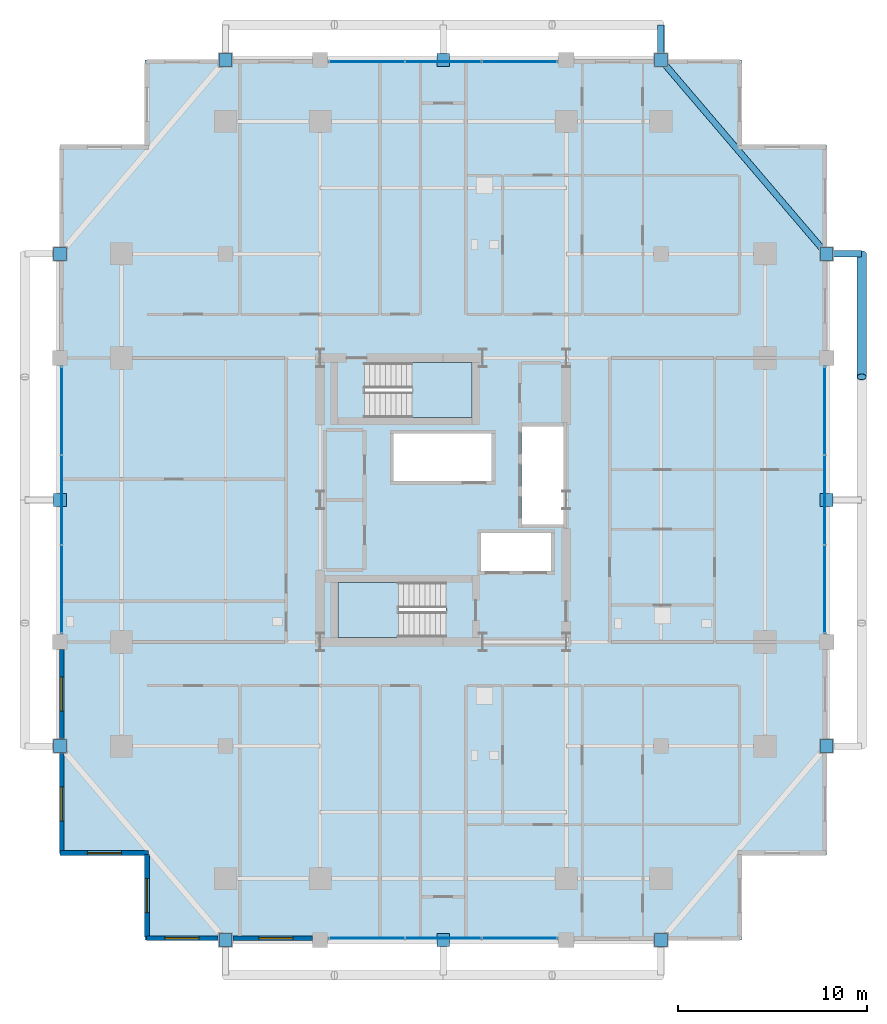
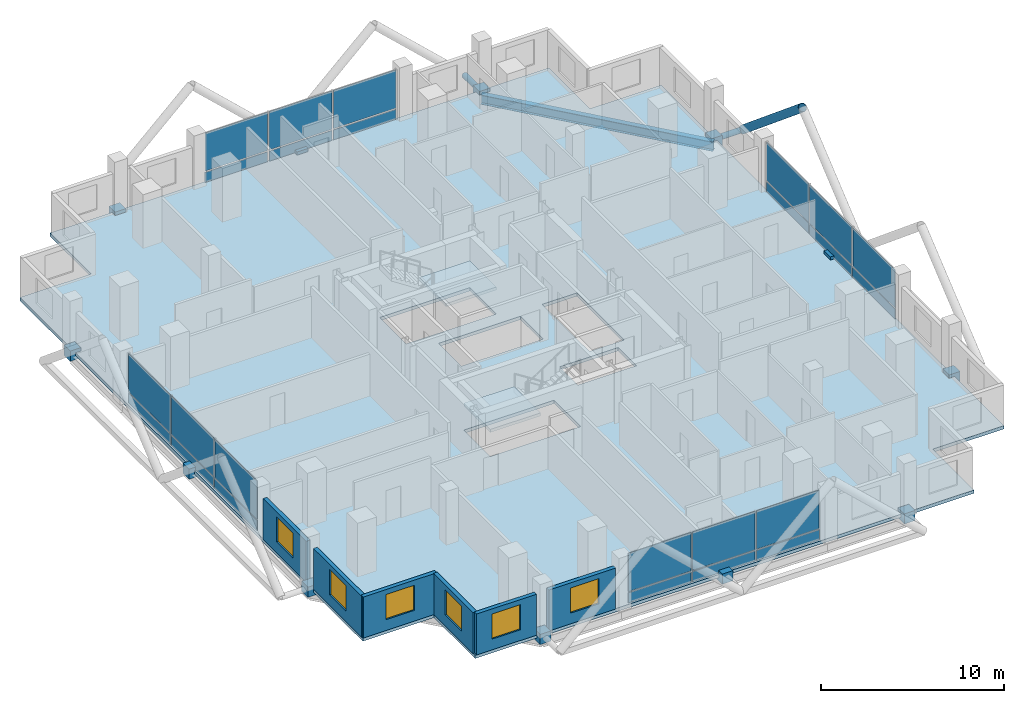
# One storey, part 18 of 24: 36 plates, 6 walls, 6 windows, 3 members, 3 slabs, 1 beam, 6 openings, 6 elements without a shape of their own.
"""IFC4 building model written with IfcOpenShell, lengths in metres."""

import ifcopenshell
import ifcopenshell.guid

model = None  # the IFC model being written
_history = None  # IfcOwnerHistory: only IFC2X3 demands one
_inside = {}  # id of a spatial element -> (the spatial element, [elements in it])
_under = {}  # id of a project, library or spatial element -> (it, [spatial elements below it])
_declared = {}  # id of a project -> (the project, [libraries it declares])
_typed = {}  # id of a type object -> (the type object, [elements of that type])
_made_of = {}  # id of a material, layer set ... -> (it, [elements and type objects made of it])


def new_model(schema):
    """Start an empty IFC model of exactly this schema.

    Asked for "IFC4X3", IfcOpenShell would pick the latest addendum, in which some entities
    have other attributes; the version numbers below select the first issue.
    IFC2X3 requires an IfcOwnerHistory on every rooted entity: one is made here for all.
    """
    global model, _history
    if schema == "IFC4X3":
        model = ifcopenshell.file(schema_version=(4, 3, 0, 0))
    else:
        model = ifcopenshell.file(schema=schema)
    _inside.clear()
    _under.clear()
    _declared.clear()
    _typed.clear()
    _made_of.clear()
    _history = None
    if model.schema == "IFC2X3":
        org = make("IfcOrganization", Name="unknown")
        user = make(
            "IfcPersonAndOrganization",
            ThePerson=make("IfcPerson", FamilyName="unknown"),
            TheOrganization=org,
        )
        app = make(
            "IfcApplication",
            ApplicationDeveloper=org,
            Version="unknown",
            ApplicationFullName="unknown",
            ApplicationIdentifier="unknown",
        )
        _history = make(
            "IfcOwnerHistory",
            OwningUser=user,
            OwningApplication=app,
            ChangeAction="ADDED",
            CreationDate=0,
        )
    return model


def make(cls, **values):
    """One entity of the class cls with the attributes given. An attribute that is None is left unset."""
    return model.create_entity(
        cls, **{name: value for name, value in values.items() if value is not None}
    )


def rooted(cls, **values):
    """An entity with a GlobalId (a new one), such as an element, a storey or a relation."""
    return make(cls, GlobalId=ifcopenshell.guid.new(), OwnerHistory=_history, **values)


def si_unit(unit_type, name, prefix=None):
    """IfcSIUnit, for example si_unit("LENGTHUNIT", "METRE", prefix="MILLI")."""
    return make("IfcSIUnit", UnitType=unit_type, Prefix=prefix, Name=name)


def assignment(units):
    """IfcUnitAssignment: the units of a project."""
    return None if units is None else make("IfcUnitAssignment", Units=units)


def point(xyz):
    """IfcCartesianPoint."""
    return None if xyz is None else make("IfcCartesianPoint", Coordinates=xyz)


def direction(xyz):
    """IfcDirection."""
    return None if xyz is None else make("IfcDirection", DirectionRatios=xyz)


def frame(location, z_axis=None, x_axis=None):
    """IfcAxis2Placement3D, a coordinate frame: its origin and axes. An axis left out is left unset."""
    return make(
        "IfcAxis2Placement3D",
        Location=point(location),
        Axis=direction(z_axis),
        RefDirection=direction(x_axis),
    )


def frame_2d(location, x_axis=None):
    """IfcAxis2Placement2D, a coordinate frame in the plane: its origin and x axis."""
    return make(
        "IfcAxis2Placement2D", Location=point(location), RefDirection=direction(x_axis)
    )


def origin():
    """The frame at (0, 0, 0) with its axes left unset."""
    return frame((0.0, 0.0, 0.0))


def origin_2d():
    """The frame at (0, 0) in the plane with its x axis left unset."""
    return frame_2d((0.0, 0.0))


def place(relative_to, where):
    """IfcLocalPlacement: puts the frame where relative to a parent placement (None: the world)."""
    return make(
        "IfcLocalPlacement", PlacementRelTo=relative_to, RelativePlacement=where
    )


def context(
    kind, dimensions, precision=None, world=None, true_north=None, identifier=None
):
    """IfcGeometricRepresentationContext, for example the 3D "Model" context."""
    return make(
        "IfcGeometricRepresentationContext",
        ContextIdentifier=identifier,
        ContextType=kind,
        CoordinateSpaceDimension=dimensions,
        Precision=precision,
        WorldCoordinateSystem=world,
        TrueNorth=true_north,
    )


def subcontext(parent, identifier, kind, view, scale=None):
    """IfcGeometricRepresentationSubContext, for example "Body" below "Model"."""
    return make(
        "IfcGeometricRepresentationSubContext",
        ContextIdentifier=identifier,
        ContextType=kind,
        ParentContext=parent,
        TargetScale=scale,
        TargetView=view,
    )


def project(units=None, contexts=None):
    """IfcProject with its units and contexts."""
    return rooted(
        "IfcProject",
        Name="project",
        RepresentationContexts=contexts,
        UnitsInContext=assignment(units),
    )


def spatial(cls, under=None, at=None, **own):
    """A site, building, storey or space (cls), placed at a placement, below another one or the project."""
    s = rooted(cls, ObjectPlacement=at, **own)
    if under is not None:
        _under.setdefault(under.id(), (under, []))[1].append(s)
    return s


def polyline(points):
    """IfcPolyline through the points."""
    return make("IfcPolyline", Points=[point(p) for p in points])


def profile(cls, at=None, kind="AREA", **sizes):
    """A parametric profile (cls). Its sizes go by their IFC names, for example OverallWidth=200.0."""
    return make(cls, ProfileType=kind, Position=at, **sizes)


def rectangle(**sizes):
    """IfcRectangleProfileDef."""
    return profile("IfcRectangleProfileDef", **sizes)


def hollow_circle(**sizes):
    """IfcCircleHollowProfileDef."""
    return profile("IfcCircleHollowProfileDef", **sizes)


def i_section(**sizes):
    """IfcIShapeProfileDef."""
    return profile("IfcIShapeProfileDef", **sizes)


def outline(outer, holes=None, kind="AREA"):
    """IfcArbitraryClosedProfileDef: a profile drawn as a closed curve; with holes, ...WithVoids."""
    if holes is None:
        return make("IfcArbitraryClosedProfileDef", ProfileType=kind, OuterCurve=outer)
    return make(
        "IfcArbitraryProfileDefWithVoids",
        ProfileType=kind,
        OuterCurve=outer,
        InnerCurves=holes,
    )


def extrude(swept, where, along, depth):
    """IfcExtrudedAreaSolid: the profile swept, set in the frame where, extruded along a direction by depth."""
    return make(
        "IfcExtrudedAreaSolid",
        SweptArea=swept,
        Position=where,
        ExtrudedDirection=direction(along),
        Depth=depth,
    )


def shape(context_of_items, identifier, shape_type, items):
    """IfcShapeRepresentation: the items that make up one representation, for example the "Body"."""
    return make(
        "IfcShapeRepresentation",
        ContextOfItems=context_of_items,
        RepresentationIdentifier=identifier,
        RepresentationType=shape_type,
        Items=items,
    )


def material(Name=None, Category=None):
    """IfcMaterial."""
    return make("IfcMaterial", Name=Name, Category=Category)


def layer(
    of_material, thickness, ventilated=None, Name=None, Category=None, Priority=None
):
    """IfcMaterialLayer: one layer of a wall or slab, of a material (None: an air gap)."""
    return make(
        "IfcMaterialLayer",
        Material=of_material,
        LayerThickness=thickness,
        IsVentilated=ventilated,
        Name=Name,
        Category=Category,
        Priority=Priority,
    )


def layer_set(layers, Name=None):
    """IfcMaterialLayerSet."""
    return make("IfcMaterialLayerSet", MaterialLayers=layers, LayerSetName=Name)


def material_profile(
    of_material, cross_section, Name=None, Category=None, Priority=None
):
    """IfcMaterialProfile: a cross section and its material."""
    return make(
        "IfcMaterialProfile",
        Name=Name,
        Material=of_material,
        Profile=cross_section,
        Priority=Priority,
        Category=Category,
    )


def profile_set(profiles, Name=None, composite=None):
    """IfcMaterialProfileSet."""
    return make(
        "IfcMaterialProfileSet",
        Name=Name,
        MaterialProfiles=profiles,
        CompositeProfile=composite,
    )


def made_of(thing, what):
    """Note that an element or type object is made of a material, layer set ...; save() writes the relation."""
    if what is not None:
        _made_of.setdefault(what.id(), (what, []))[1].append(thing)
    return thing


def type_object(cls, material=None, **own):
    """A type object (cls), such as IfcWallType, which elements share."""
    return made_of(rooted(cls, **own), material)


def element(
    cls,
    number,
    at=None,
    inside=None,
    cuts=None,
    type_object=None,
    material=None,
    context=None,
    identifier="Body",
    shape_type=None,
    held_by="IfcProductDefinitionShape",
    body=None,
    shapes=None,
    **own,
):
    """One element of the class cls, such as IfcWall. Its Tag is "e" and its number.

    at: its placement. inside: the storey or other place that contains it. cuts: it is an
    opening in that element (IfcRelVoidsElement). A single representation is given by context,
    identifier, shape_type and body (its items); several are given by shapes. held_by: the class
    of the entity that holds the representations. save() writes the other relations.
    """
    e = rooted(cls, Tag="e%d" % number, ObjectPlacement=at, **own)
    if body is not None:
        shapes = [shape(context, identifier, shape_type, body)]
    if shapes is not None:
        e.Representation = make(held_by, Representations=shapes)
    if inside is not None:
        _inside.setdefault(inside.id(), (inside, []))[1].append(e)
    if cuts is not None:
        rooted(
            "IfcRelVoidsElement", RelatingBuildingElement=cuts, RelatedOpeningElement=e
        )
    if type_object is not None:
        _typed.setdefault(type_object.id(), (type_object, []))[1].append(e)
    return made_of(e, material)


def fill(opening, filler):
    """IfcRelFillsElement: the door or window that sits in an opening."""
    return rooted(
        "IfcRelFillsElement",
        RelatingOpeningElement=opening,
        RelatedBuildingElement=filler,
    )


def aggregate(whole, parts):
    """IfcRelAggregates: a whole, such as a stair, and the parts it consists of."""
    return rooted("IfcRelAggregates", RelatingObject=whole, RelatedObjects=parts)


def save(model, path):
    """Write the relations noted so far, then the file.

    IfcRelAggregates (storeys below a building ...), IfcRelContainedInSpatialStructure (elements
    in a storey), IfcRelDefinesByType, IfcRelAssociatesMaterial and IfcRelDeclares: one each for
    every whole, place, type object, material and project.
    """
    for whole, parts in _under.values():
        aggregate(whole, parts)
    for where, things in _inside.values():
        rooted(
            "IfcRelContainedInSpatialStructure",
            RelatedElements=things,
            RelatingStructure=where,
        )
    for kind, things in _typed.values():
        rooted("IfcRelDefinesByType", RelatedObjects=things, RelatingType=kind)
    for what, things in _made_of.values():
        rooted("IfcRelAssociatesMaterial", RelatedObjects=things, RelatingMaterial=what)
    for by, libraries in _declared.values():
        rooted("IfcRelDeclares", RelatingContext=by, RelatedDefinitions=libraries)
    model.write(path)


model = new_model("IFC4")

# Units and contexts
model_context = context("Model", 3, precision=1e-05, world=origin(), true_north=direction((0.0, 1.0)))
body_context = subcontext(model_context, "Body", "Model", "MODEL_VIEW")
ifc_project = project(units=[si_unit("LENGTHUNIT", "METRE"), si_unit("AREAUNIT", "SQUARE_METRE"), si_unit("VOLUMEUNIT", "CUBIC_METRE"), si_unit("PLANEANGLEUNIT", "RADIAN"), si_unit("MASSUNIT", "GRAM", prefix="KILO")], contexts=[model_context])

# Site, building, storey
site_placement = place(None, origin())
site = spatial("IfcSite", under=ifc_project, at=site_placement, CompositionType="ELEMENT")
building_placement = place(site_placement, origin())
building = spatial("IfcBuilding", under=site, at=building_placement, Name="Barlavira Tower and Art Museum", CompositionType="ELEMENT")
storey_placement = place(building_placement, frame((0.0, 0.0, 154.800048828125)))
storey = spatial("IfcBuildingStorey", under=building, at=storey_placement, Name="L39", CompositionType="ELEMENT", Elevation=154.800048828125)

# Members
ifc_material_1 = material(Name="Steel S355", Category="steel")
ifc_material_profile_1 = material_profile(ifc_material_1, hollow_circle(Radius=0.25390625, WallThickness=0.022216796875, at=origin_2d()), Name="CHS 508.0x22.2")
ifc_profile_set_1 = profile_set([ifc_material_profile_1], Name="Steel S355")
member_type_1 = type_object("IfcMemberType", Name="Pale-Metal Exoskeleton Diagrid Tube CHS 508x22 Steel S355", PredefinedType="BRACE", material=ifc_profile_set_1)
member_placement = place(storey_placement, frame((22.10009765625, 13.0, -0.1201171875), z_axis=(0.0, -0.76918185268, 0.639029950399), x_axis=(1.0, 0.0, 0.0)))
element("IfcMember", 1, at=member_placement, inside=storey, type_object=member_type_1, Name="L39 Exoskeleton Diagrid Tube E", PredefinedType="BRACE", context=body_context, shape_type="SweptSolid", body=[
    extrude(hollow_circle(Radius=0.25390625, WallThickness=0.022216796875, at=origin_2d()), origin(), (0.0, 0.0, 1.0), 8.450439453125),
])
ifc_material_profile_2 = material_profile(ifc_material_1, hollow_circle(Radius=0.177734375, WallThickness=0.01611328125, at=origin_2d()), Name="CHS 355.6x16.0")
ifc_profile_set_2 = profile_set([ifc_material_profile_2], Name="Steel S355")
member_type_2 = type_object("IfcMemberType", Name="Pale-Metal Exoskeleton Tie Strut CHS 356x16 Steel S355", PredefinedType="STRUT", material=ifc_profile_set_2)
for number, where, z_axis, x_axis, name in (
    (2, (11.5, 25.10009765625, -0.1201171875), (0.0, -1.0, 0.0), (1.0, 0.0, 0.0), "L39 Exoskeleton Tie Strut N3"),
    (3, (22.10009765625, 13.0, -0.1201171875), (-1.0, 0.0, 0.0), (0.0, -1.0, 0.0), "L39 Exoskeleton Tie Strut E3"),
):
    element("IfcMember", number, at=place(storey_placement, frame(where, z_axis=z_axis, x_axis=x_axis)), inside=storey, type_object=member_type_2, Name=name, PredefinedType="STRUT", context=body_context, shape_type="SweptSolid", body=[
        extrude(hollow_circle(Radius=0.177734375, WallThickness=0.01611328125, at=origin_2d()), origin(), (0.0, 0.0, 1.0), 1.85009765625),
    ])

# Beam
ifc_material_profile_3 = material_profile(ifc_material_1, i_section(OverallWidth=0.327880859375, OverallDepth=0.62890625, WebThickness=0.013916015625, FlangeThickness=0.021484375, at=origin_2d()), Name="W610x174.0")
ifc_profile_set_3 = profile_set([ifc_material_profile_3], Name="Steel S355")
beam_type = type_object("IfcBeamType", Name="Perimeter Spandrel Edge Beam W610x174 Steel S355", PredefinedType="SPANDREL", material=ifc_profile_set_3)
beam_placement = place(storey_placement, frame((20.25, 13.0, -0.53466796875), z_axis=(-0.649262379928, 0.760564502202, 0.0), x_axis=(-0.760564502202, -0.649262379928, 0.0)))
element("IfcBeam", 4, at=beam_placement, inside=storey, type_object=beam_type, Name="L39 Spandrel 8", PredefinedType="SPANDREL", context=body_context, shape_type="SweptSolid", body=[
    extrude(i_section(OverallWidth=0.327880859375, OverallDepth=0.62890625, WebThickness=0.013916015625, FlangeThickness=0.021484375, at=origin_2d()), origin(), (0.0, 0.0, 1.0), 13.476806640625),
])

# Curtain wall, plates
ifc_material_2 = material(Name="Low-iron coastal laminated glass", Category="glass")
ifc_layer_1 = layer(ifc_material_2, 0.18994140625, Name="Low-iron coastal laminated glass")
ifc_layer_set_1 = layer_set([ifc_layer_1], Name="Low-iron coastal laminated glass")
curtain_wall_type = type_object("IfcCurtainWallType", Name="Pale-Metal Unitised Curtain Wall Zone 2", PredefinedType="NOTDEFINED", material=ifc_layer_set_1)
curtain_wall_1_placement = place(storey_placement, origin())
curtain_wall_1 = element("IfcCurtainWall", 5, at=curtain_wall_1_placement, inside=storey, type_object=curtain_wall_type, Name="L39 Curtain Wall CW2-L39-S-B3", PredefinedType="NOTDEFINED")
ifc_material_3 = material(Name="Pale anodised aluminium", Category="aluminium")
ifc_layer_2 = layer(ifc_material_3, 0.044921875, Name="Pale anodised aluminium")
ifc_layer_set_2 = layer_set([ifc_layer_2], Name="Pale anodised aluminium")
plate_type_1 = type_object("IfcPlateType", Name="Curtain Wall Pale-Metal Spandrel Panel 45", PredefinedType="CURTAIN_PANEL", material=ifc_layer_set_2)
plate_1_placement = place(storey_placement, frame((-4.05322265625, -23.14990234375, 0.0400390625), z_axis=(0.0, 0.0, 1.0), x_axis=(1.0, 0.0, 0.0)))
plate_1 = element("IfcPlate", 6, at=plate_1_placement, type_object=plate_type_1, Name="CW2-L39-S-B3 Spandrel Panel 0", PredefinedType="CURTAIN_PANEL", context=body_context, shape_type="SweptSolid", body=[
    extrude(rectangle(XDim=3.953369140625, YDim=0.044921875, at=origin_2d()), origin(), (0.0, 0.0, 1.0), 0.6640625),
])
plate_2_placement = place(storey_placement, frame((0.0, -23.14990234375, 0.0400390625), z_axis=(0.0, 0.0, 1.0), x_axis=(1.0, 0.0, 0.0)))
plate_2 = element("IfcPlate", 7, at=plate_2_placement, type_object=plate_type_1, Name="CW2-L39-S-B3 Spandrel Panel 1", PredefinedType="CURTAIN_PANEL", context=body_context, shape_type="SweptSolid", body=[
    extrude(rectangle(XDim=3.953369140625, YDim=0.044921875, at=origin_2d()), origin(), (0.0, 0.0, 1.0), 0.6640625),
])
plate_3_placement = place(storey_placement, frame((4.05322265625, -23.14990234375, 0.0400390625), z_axis=(0.0, 0.0, 1.0), x_axis=(1.0, 0.0, 0.0)))
plate_3 = element("IfcPlate", 8, at=plate_3_placement, type_object=plate_type_1, Name="CW2-L39-S-B3 Spandrel Panel 2", PredefinedType="CURTAIN_PANEL", context=body_context, shape_type="SweptSolid", body=[
    extrude(rectangle(XDim=3.953369140625, YDim=0.044921875, at=origin_2d()), origin(), (0.0, 0.0, 1.0), 0.6640625),
])

curtain_wall_2_placement = place(storey_placement, origin())
curtain_wall_2 = element("IfcCurtainWall", 9, at=curtain_wall_2_placement, inside=storey, type_object=curtain_wall_type, Name="L39 Curtain Wall CW2-L39-N-B3", PredefinedType="NOTDEFINED")
plate_4_placement = place(storey_placement, frame((4.05322265625, 23.14990234375, 0.0400390625), z_axis=(0.0, 0.0, 1.0), x_axis=(-1.0, 0.0, 0.0)))
plate_4 = element("IfcPlate", 10, at=plate_4_placement, type_object=plate_type_1, Name="CW2-L39-N-B3 Spandrel Panel 0", PredefinedType="CURTAIN_PANEL", context=body_context, shape_type="SweptSolid", body=[
    extrude(rectangle(XDim=3.953369140625, YDim=0.044921875, at=origin_2d()), origin(), (0.0, 0.0, 1.0), 0.6640625),
])
plate_5_placement = place(storey_placement, frame((0.0, 23.14990234375, 0.0400390625), z_axis=(0.0, 0.0, 1.0), x_axis=(-1.0, 0.0, 0.0)))
plate_5 = element("IfcPlate", 11, at=plate_5_placement, type_object=plate_type_1, Name="CW2-L39-N-B3 Spandrel Panel 1", PredefinedType="CURTAIN_PANEL", context=body_context, shape_type="SweptSolid", body=[
    extrude(rectangle(XDim=3.953369140625, YDim=0.044921875, at=origin_2d()), origin(), (0.0, 0.0, 1.0), 0.6640625),
])
plate_6_placement = place(storey_placement, frame((-4.05322265625, 23.14990234375, 0.0400390625), z_axis=(0.0, 0.0, 1.0), x_axis=(-1.0, 0.0, 0.0)))
plate_6 = element("IfcPlate", 12, at=plate_6_placement, type_object=plate_type_1, Name="CW2-L39-N-B3 Spandrel Panel 2", PredefinedType="CURTAIN_PANEL", context=body_context, shape_type="SweptSolid", body=[
    extrude(rectangle(XDim=3.953369140625, YDim=0.044921875, at=origin_2d()), origin(), (0.0, 0.0, 1.0), 0.6640625),
])

curtain_wall_3_placement = place(storey_placement, origin())
curtain_wall_3 = element("IfcCurtainWall", 13, at=curtain_wall_3_placement, inside=storey, type_object=curtain_wall_type, Name="L39 Curtain Wall CW2-L39-W-B3", PredefinedType="NOTDEFINED")
plate_7_placement = place(storey_placement, frame((-20.14990234375, 4.719970703125, 0.0400390625), z_axis=(0.0, 0.0, 1.0), x_axis=(0.0, -1.0, 0.0)))
plate_7 = element("IfcPlate", 14, at=plate_7_placement, type_object=plate_type_1, Name="CW2-L39-W-B3 Spandrel Panel 0", PredefinedType="CURTAIN_PANEL", context=body_context, shape_type="SweptSolid", body=[
    extrude(rectangle(XDim=4.6201171875, YDim=0.044921875, at=origin_2d()), origin(), (0.0, 0.0, 1.0), 0.6640625),
])
plate_8_placement = place(storey_placement, frame((-20.14990234375, 0.0, 0.0400390625), z_axis=(0.0, 0.0, 1.0), x_axis=(0.0, -1.0, 0.0)))
plate_8 = element("IfcPlate", 15, at=plate_8_placement, type_object=plate_type_1, Name="CW2-L39-W-B3 Spandrel Panel 1", PredefinedType="CURTAIN_PANEL", context=body_context, shape_type="SweptSolid", body=[
    extrude(rectangle(XDim=4.6201171875, YDim=0.044921875, at=origin_2d()), origin(), (0.0, 0.0, 1.0), 0.6640625),
])
plate_9_placement = place(storey_placement, frame((-20.14990234375, -4.719970703125, 0.0400390625), z_axis=(0.0, 0.0, 1.0), x_axis=(0.0, -1.0, 0.0)))
plate_9 = element("IfcPlate", 16, at=plate_9_placement, type_object=plate_type_1, Name="CW2-L39-W-B3 Spandrel Panel 2", PredefinedType="CURTAIN_PANEL", context=body_context, shape_type="SweptSolid", body=[
    extrude(rectangle(XDim=4.6201171875, YDim=0.044921875, at=origin_2d()), origin(), (0.0, 0.0, 1.0), 0.6640625),
])

curtain_wall_4_placement = place(storey_placement, origin())
curtain_wall_4 = element("IfcCurtainWall", 17, at=curtain_wall_4_placement, inside=storey, type_object=curtain_wall_type, Name="L39 Curtain Wall CW2-L39-E-B3", PredefinedType="NOTDEFINED")
plate_10_placement = place(storey_placement, frame((20.14990234375, -4.719970703125, 0.0400390625), z_axis=(0.0, 0.0, 1.0), x_axis=(0.0, 1.0, 0.0)))
plate_10 = element("IfcPlate", 18, at=plate_10_placement, type_object=plate_type_1, Name="CW2-L39-E-B3 Spandrel Panel 0", PredefinedType="CURTAIN_PANEL", context=body_context, shape_type="SweptSolid", body=[
    extrude(rectangle(XDim=4.6201171875, YDim=0.044921875, at=origin_2d()), origin(), (0.0, 0.0, 1.0), 0.6640625),
])
plate_11_placement = place(storey_placement, frame((20.14990234375, 0.0, 0.0400390625), z_axis=(0.0, 0.0, 1.0), x_axis=(0.0, 1.0, 0.0)))
plate_11 = element("IfcPlate", 19, at=plate_11_placement, type_object=plate_type_1, Name="CW2-L39-E-B3 Spandrel Panel 1", PredefinedType="CURTAIN_PANEL", context=body_context, shape_type="SweptSolid", body=[
    extrude(rectangle(XDim=4.6201171875, YDim=0.044921875, at=origin_2d()), origin(), (0.0, 0.0, 1.0), 0.6640625),
])
plate_12_placement = place(storey_placement, frame((20.14990234375, 4.719970703125, 0.0400390625), z_axis=(0.0, 0.0, 1.0), x_axis=(0.0, 1.0, 0.0)))
plate_12 = element("IfcPlate", 20, at=plate_12_placement, type_object=plate_type_1, Name="CW2-L39-E-B3 Spandrel Panel 2", PredefinedType="CURTAIN_PANEL", context=body_context, shape_type="SweptSolid", body=[
    extrude(rectangle(XDim=4.6201171875, YDim=0.044921875, at=origin_2d()), origin(), (0.0, 0.0, 1.0), 0.6640625),
])

# Plate
ifc_layer_3 = layer(ifc_material_2, 0.028076171875, Name="Low-iron coastal laminated glass")
ifc_layer_set_3 = layer_set([ifc_layer_3], Name="Low-iron coastal laminated glass")
plate_type_2 = type_object("IfcPlateType", Name="Curtain Wall Vision Glazing Panel 28", PredefinedType="CURTAIN_PANEL", material=ifc_layer_set_3)
plate_13_placement = place(storey_placement, frame((-4.05322265625, -23.14990234375, 0.7841796875), z_axis=(0.0, 0.0, 1.0), x_axis=(1.0, 0.0, 0.0)))
plate_13 = element("IfcPlate", 21, at=plate_13_placement, type_object=plate_type_2, Name="CW2-L39-S-B3 Vision Glass Panel 0", PredefinedType="CURTAIN_PANEL", context=body_context, shape_type="SweptSolid", body=[
    extrude(rectangle(XDim=3.953369140625, YDim=0.028076171875, at=origin_2d()), origin(), (0.0, 0.0, 1.0), 2.555908203125),
])

plate_14_placement = place(storey_placement, frame((0.0, -23.14990234375, 0.7841796875), z_axis=(0.0, 0.0, 1.0), x_axis=(1.0, 0.0, 0.0)))
plate_14 = element("IfcPlate", 22, at=plate_14_placement, type_object=plate_type_2, Name="CW2-L39-S-B3 Vision Glass Panel 1", PredefinedType="CURTAIN_PANEL", context=body_context, shape_type="SweptSolid", body=[
    extrude(rectangle(XDim=3.953369140625, YDim=0.028076171875, at=origin_2d()), origin(), (0.0, 0.0, 1.0), 2.555908203125),
])

plate_15_placement = place(storey_placement, frame((4.05322265625, -23.14990234375, 0.7841796875), z_axis=(0.0, 0.0, 1.0), x_axis=(1.0, 0.0, 0.0)))
plate_15 = element("IfcPlate", 23, at=plate_15_placement, type_object=plate_type_2, Name="CW2-L39-S-B3 Vision Glass Panel 2", PredefinedType="CURTAIN_PANEL", context=body_context, shape_type="SweptSolid", body=[
    extrude(rectangle(XDim=3.953369140625, YDim=0.028076171875, at=origin_2d()), origin(), (0.0, 0.0, 1.0), 2.555908203125),
])

aggregate(curtain_wall_1, [plate_1, plate_13, plate_2, plate_14, plate_3, plate_15])

plate_16_placement = place(storey_placement, frame((4.05322265625, 23.14990234375, 0.7841796875), z_axis=(0.0, 0.0, 1.0), x_axis=(-1.0, 0.0, 0.0)))
plate_16 = element("IfcPlate", 24, at=plate_16_placement, type_object=plate_type_2, Name="CW2-L39-N-B3 Vision Glass Panel 0", PredefinedType="CURTAIN_PANEL", context=body_context, shape_type="SweptSolid", body=[
    extrude(rectangle(XDim=3.953369140625, YDim=0.028076171875, at=origin_2d()), origin(), (0.0, 0.0, 1.0), 2.555908203125),
])

plate_17_placement = place(storey_placement, frame((0.0, 23.14990234375, 0.7841796875), z_axis=(0.0, 0.0, 1.0), x_axis=(-1.0, 0.0, 0.0)))
plate_17 = element("IfcPlate", 25, at=plate_17_placement, type_object=plate_type_2, Name="CW2-L39-N-B3 Vision Glass Panel 1", PredefinedType="CURTAIN_PANEL", context=body_context, shape_type="SweptSolid", body=[
    extrude(rectangle(XDim=3.953369140625, YDim=0.028076171875, at=origin_2d()), origin(), (0.0, 0.0, 1.0), 2.555908203125),
])

plate_18_placement = place(storey_placement, frame((-4.05322265625, 23.14990234375, 0.7841796875), z_axis=(0.0, 0.0, 1.0), x_axis=(-1.0, 0.0, 0.0)))
plate_18 = element("IfcPlate", 26, at=plate_18_placement, type_object=plate_type_2, Name="CW2-L39-N-B3 Vision Glass Panel 2", PredefinedType="CURTAIN_PANEL", context=body_context, shape_type="SweptSolid", body=[
    extrude(rectangle(XDim=3.953369140625, YDim=0.028076171875, at=origin_2d()), origin(), (0.0, 0.0, 1.0), 2.555908203125),
])

aggregate(curtain_wall_2, [plate_4, plate_16, plate_5, plate_17, plate_6, plate_18])

plate_19_placement = place(storey_placement, frame((-20.14990234375, 4.719970703125, 0.7841796875), z_axis=(0.0, 0.0, 1.0), x_axis=(0.0, -1.0, 0.0)))
plate_19 = element("IfcPlate", 27, at=plate_19_placement, type_object=plate_type_2, Name="CW2-L39-W-B3 Vision Glass Panel 0", PredefinedType="CURTAIN_PANEL", context=body_context, shape_type="SweptSolid", body=[
    extrude(rectangle(XDim=4.6201171875, YDim=0.028076171875, at=origin_2d()), origin(), (0.0, 0.0, 1.0), 2.555908203125),
])

plate_20_placement = place(storey_placement, frame((-20.14990234375, 0.0, 0.7841796875), z_axis=(0.0, 0.0, 1.0), x_axis=(0.0, -1.0, 0.0)))
plate_20 = element("IfcPlate", 28, at=plate_20_placement, type_object=plate_type_2, Name="CW2-L39-W-B3 Vision Glass Panel 1", PredefinedType="CURTAIN_PANEL", context=body_context, shape_type="SweptSolid", body=[
    extrude(rectangle(XDim=4.6201171875, YDim=0.028076171875, at=origin_2d()), origin(), (0.0, 0.0, 1.0), 2.555908203125),
])

plate_21_placement = place(storey_placement, frame((-20.14990234375, -4.719970703125, 0.7841796875), z_axis=(0.0, 0.0, 1.0), x_axis=(0.0, -1.0, 0.0)))
plate_21 = element("IfcPlate", 29, at=plate_21_placement, type_object=plate_type_2, Name="CW2-L39-W-B3 Vision Glass Panel 2", PredefinedType="CURTAIN_PANEL", context=body_context, shape_type="SweptSolid", body=[
    extrude(rectangle(XDim=4.6201171875, YDim=0.028076171875, at=origin_2d()), origin(), (0.0, 0.0, 1.0), 2.555908203125),
])

aggregate(curtain_wall_3, [plate_7, plate_19, plate_8, plate_20, plate_9, plate_21])

plate_22_placement = place(storey_placement, frame((20.14990234375, -4.719970703125, 0.7841796875), z_axis=(0.0, 0.0, 1.0), x_axis=(0.0, 1.0, 0.0)))
plate_22 = element("IfcPlate", 30, at=plate_22_placement, type_object=plate_type_2, Name="CW2-L39-E-B3 Vision Glass Panel 0", PredefinedType="CURTAIN_PANEL", context=body_context, shape_type="SweptSolid", body=[
    extrude(rectangle(XDim=4.6201171875, YDim=0.028076171875, at=origin_2d()), origin(), (0.0, 0.0, 1.0), 2.555908203125),
])

plate_23_placement = place(storey_placement, frame((20.14990234375, 0.0, 0.7841796875), z_axis=(0.0, 0.0, 1.0), x_axis=(0.0, 1.0, 0.0)))
plate_23 = element("IfcPlate", 31, at=plate_23_placement, type_object=plate_type_2, Name="CW2-L39-E-B3 Vision Glass Panel 1", PredefinedType="CURTAIN_PANEL", context=body_context, shape_type="SweptSolid", body=[
    extrude(rectangle(XDim=4.6201171875, YDim=0.028076171875, at=origin_2d()), origin(), (0.0, 0.0, 1.0), 2.555908203125),
])

plate_24_placement = place(storey_placement, frame((20.14990234375, 4.719970703125, 0.7841796875), z_axis=(0.0, 0.0, 1.0), x_axis=(0.0, 1.0, 0.0)))
plate_24 = element("IfcPlate", 32, at=plate_24_placement, type_object=plate_type_2, Name="CW2-L39-E-B3 Vision Glass Panel 2", PredefinedType="CURTAIN_PANEL", context=body_context, shape_type="SweptSolid", body=[
    extrude(rectangle(XDim=4.6201171875, YDim=0.028076171875, at=origin_2d()), origin(), (0.0, 0.0, 1.0), 2.555908203125),
])

aggregate(curtain_wall_4, [plate_10, plate_22, plate_11, plate_23, plate_12, plate_24])

# Plates
ifc_layer_4 = layer(ifc_material_1, 0.679931640625, Name="Steel S355")
ifc_layer_set_4 = layer_set([ifc_layer_4], Name="Steel S355")
plate_type_3 = type_object("IfcPlateType", Name="Exoskeleton Tie-Back Solid Cap Plate Assembly Type 5 Steel S355", PredefinedType="USERDEFINED", material=ifc_layer_set_4)
for number, where, z_axis, x_axis, name in (
    (33, (-11.5, -23.25, -0.4599609375), (0.0, 0.0, 1.0), (1.0, 0.0, 0.0), "Slab Edge Tie Cap Plate S1 ND-L39-0414"),
    (34, (0.0, -23.25, -0.4599609375), (0.0, 0.0, 1.0), (1.0, 0.0, 0.0), "Slab Edge Tie Cap Plate S2 ND-L39-0415"),
    (35, (11.5, -23.25, -0.4599609375), (0.0, 0.0, 1.0), (1.0, 0.0, 0.0), "Slab Edge Tie Cap Plate S3 ND-L39-0416"),
    (36, (-11.5, 23.25, -0.4599609375), (0.0, 0.0, 1.0), (1.0, 0.0, 0.0), "Slab Edge Tie Cap Plate N1 ND-L39-0425"),
    (37, (0.0, 23.25, -0.4599609375), (0.0, 0.0, 1.0), (1.0, 0.0, 0.0), "Slab Edge Tie Cap Plate N2 ND-L39-0426"),
    (38, (11.5, 23.25, -0.4599609375), (0.0, 0.0, 1.0), (1.0, 0.0, 0.0), "Slab Edge Tie Cap Plate N3 ND-L39-0427"),
    (39, (-20.25, -13.0, -0.4599609375), (0.0, 0.0, 1.0), (1.0, 0.0, 0.0), "Slab Edge Tie Cap Plate W1 ND-L39-0436"),
    (40, (-20.25, 0.0, -0.4599609375), (0.0, 0.0, 1.0), (1.0, 0.0, 0.0), "Slab Edge Tie Cap Plate W2 ND-L39-0437"),
    (41, (-20.25, 13.0, -0.4599609375), (0.0, 0.0, 1.0), (1.0, 0.0, 0.0), "Slab Edge Tie Cap Plate W3 ND-L39-0438"),
    (42, (20.25, -13.0, -0.4599609375), (0.0, 0.0, 1.0), (1.0, 0.0, 0.0), "Slab Edge Tie Cap Plate E1 ND-L39-0447"),
    (43, (20.25, 0.0, -0.4599609375), (0.0, 0.0, 1.0), (1.0, 0.0, 0.0), "Slab Edge Tie Cap Plate E2 ND-L39-0448"),
    (44, (20.25, 13.0, -0.4599609375), (0.0, 0.0, 1.0), (1.0, 0.0, 0.0), "Slab Edge Tie Cap Plate E3 ND-L39-0449"),
):
    element("IfcPlate", number, at=place(storey_placement, frame(where, z_axis=z_axis, x_axis=x_axis)), inside=storey, type_object=plate_type_3, Name=name, ObjectType="FLANGE_PLATE", PredefinedType="USERDEFINED", context=body_context, shape_type="SweptSolid", body=[
        extrude(rectangle(XDim=0.679931640625, YDim=0.679931640625, at=origin_2d()), origin(), (0.0, 0.0, 1.0), 0.679931640625),
    ])

# Stair, slab
ifc_material_4 = material(Name="Concrete C45", Category="concrete")
stair_type_1 = type_object("IfcStairType", Name="Tower North Dog-Leg Exit Stair Assembly Concrete C45", PredefinedType="TWO_QUARTER_TURN_STAIR", material=ifc_material_4)
stair_1_placement = place(storey_placement, origin())
stair_1 = element("IfcStair", 45, at=stair_1_placement, inside=storey, type_object=stair_type_1, Name="L39 Tower North Exit Stair ST-T2", PredefinedType="TWO_QUARTER_TURN_STAIR")
ifc_layer_5 = layer(ifc_material_4, 0.199951171875, Name="Concrete C45")
ifc_layer_set_5 = layer_set([ifc_layer_5], Name="Concrete C45")
slab_type_1 = type_object("IfcSlabType", Name="Tower North Dog-Leg Exit Stair Half-Landing Slab 200 Concrete C45", PredefinedType="LANDING", material=ifc_layer_set_5)
slab_1_placement = place(storey_placement, frame((0.0, 0.0, 1.599853515625)))
slab_1 = element("IfcSlab", 46, at=slab_1_placement, type_object=slab_type_1, Name="ST-T2 landing 1", PredefinedType="LANDING", context=body_context, shape_type="SweptSolid", body=[
    extrude(outline(polyline([(-1.64990234375, 4.35009765625), (1.530029296875, 4.35009765625), (1.530029296875, 7.25), (-1.64990234375, 7.25), (-1.64990234375, 4.35009765625)])), origin(), (0.0, 0.0, 1.0), 0.2001953125),
])
aggregate(stair_1, [slab_1])

stair_type_2 = type_object("IfcStairType", Name="Tower South Dog-Leg Exit Stair Assembly Concrete C45", PredefinedType="TWO_QUARTER_TURN_STAIR", material=ifc_material_4)
stair_2_placement = place(storey_placement, origin())
stair_2 = element("IfcStair", 47, at=stair_2_placement, inside=storey, type_object=stair_type_2, Name="L39 Tower South Exit Stair ST-T1", PredefinedType="TWO_QUARTER_TURN_STAIR")
ifc_layer_6 = layer(ifc_material_4, 0.199951171875, Name="Concrete C45")
ifc_layer_set_6 = layer_set([ifc_layer_6], Name="Concrete C45")
slab_type_2 = type_object("IfcSlabType", Name="Tower South Dog-Leg Exit Stair Half-Landing Slab 200 Concrete C45", PredefinedType="LANDING", material=ifc_layer_set_6)
slab_2_placement = place(storey_placement, frame((0.0, 0.0, 1.599853515625)))
slab_2 = element("IfcSlab", 48, at=slab_2_placement, type_object=slab_type_2, Name="ST-T1 landing 1", PredefinedType="LANDING", context=body_context, shape_type="SweptSolid", body=[
    extrude(outline(polyline([(-2.3701171875, -4.35009765625), (-5.550048828125, -4.35009765625), (-5.550048828125, -7.25), (-2.3701171875, -7.25), (-2.3701171875, -4.35009765625)])), origin(), (0.0, 0.0, 1.0), 0.2001953125),
])
aggregate(stair_2, [slab_2])

# Slab
ifc_material_5 = material(Name="Concrete C50", Category="concrete")
ifc_layer_7 = layer(ifc_material_5, 0.2099609375, Name="Concrete C50")
ifc_layer_set_7 = layer_set([ifc_layer_7], Name="Concrete C50")
slab_type_3 = type_object("IfcSlabType", Name="Zone 2 Residential Composite Slab 210 Concrete C50", PredefinedType="FLOOR", material=ifc_layer_set_7)
slab_3_placement = place(storey_placement, frame((0.0, 0.0, -0.219970703125)))
element("IfcSlab", 49, at=slab_3_placement, inside=storey, type_object=slab_type_3, Name="L39 Tower Floor Slab", PredefinedType="FLOOR", context=body_context, shape_type="SweptSolid", body=[
    extrude(outline(polyline([(-15.75, -23.25), (15.75, -23.25), (15.75, -18.75), (20.25, -18.75), (20.25, 18.75), (15.75, 18.75), (15.75, 23.25), (-15.75, 23.25), (-15.75, 18.75), (-20.25, 18.75), (-20.25, -18.75), (-15.75, -18.75), (-15.75, -23.25)]), holes=[polyline([(0.14990234375, -4.35009765625), (-5.550048828125, -4.35009765625), (-5.550048828125, -7.25), (0.14990234375, -7.25), (0.14990234375, -4.35009765625)]), polyline([(-4.169921875, 4.35009765625), (1.530029296875, 4.35009765625), (1.530029296875, 7.25), (-4.169921875, 7.25), (-4.169921875, 4.35009765625)]), polyline([(4.14990234375, -1.2900390625), (6.35009765625, -1.2900390625), (6.35009765625, 3.889892578125), (4.14990234375, 3.889892578125), (4.14990234375, -1.2900390625)]), polyline([(-2.6201171875, 1.0), (2.56005859375, 1.0), (2.56005859375, 3.5), (-2.6201171875, 3.5), (-2.6201171875, 1.0)]), polyline([(2.0, -3.75), (5.699951171875, -3.75), (5.699951171875, -1.75), (2.0, -1.75), (2.0, -3.75)])]), origin(), (0.0, 0.0, 1.0), 0.219970703125),
])

# Wall, opening, window
ifc_material_6 = material(Name="Precast concrete C40", Category="concrete")
ifc_layer_8 = layer(ifc_material_6, 0.25, Name="Precast concrete C40")
ifc_layer_set_8 = layer_set([ifc_layer_8], Name="Precast concrete C40")
wall_type = type_object("IfcWallType", Name="Notched Corner Spandrel Wall 250 Precast Concrete C40", PredefinedType="SOLIDWALL", material=ifc_layer_set_8)
wall_1_placement = place(storey_placement, frame((-15.675048828125, -23.14990234375, 0.0), z_axis=(0.0, 0.0, 1.0), x_axis=(1.0, 0.0, 0.0)))
wall_1 = element("IfcWall", 50, at=wall_1_placement, inside=storey, type_object=wall_type, Name="L39 Coastal Facade Pier Wall CW2-L39-S-1", PredefinedType="SOLIDWALL", context=body_context, shape_type="SweptSolid", body=[
    extrude(rectangle(XDim=3.780029296875, YDim=0.25, at=frame_2d((1.89013671875, 0.0))), origin(), (0.0, 0.0, 1.0), 2.73583984375),
])
opening_1_placement = place(wall_1_placement, frame((0.968017578125, 0.0, 0.719970703125)))
opening_1 = element("IfcOpeningElement", 51, at=opening_1_placement, cuts=wall_1, Name="Opening WN-01", PredefinedType="OPENING", context=body_context, shape_type="SweptSolid", body=[
    extrude(rectangle(XDim=1.800048828125, YDim=1.679931640625, at=frame_2d((0.89990234375, 0.83984375))), frame((0.0, 0.135009765625, 0.0), z_axis=(0.0, -1.0, 0.0), x_axis=(1.0, 0.0, 0.0)), (0.0, 0.0, 1.0), 0.27001953125),
])
window_type = type_object("IfcWindowType", Name="Recessed Notch Corner Punch Window 1800x1680", PartitioningType="SINGLE_PANEL", PredefinedType="WINDOW", material=ifc_material_2)
window_1_placement = place(opening_1_placement, origin())
window_1 = element("IfcWindow", 52, at=window_1_placement, inside=storey, type_object=window_type, Name="L39 Punched Facade Window EWP-CW2-L39-S-1-1", OverallHeight=1.679931640625, OverallWidth=1.800048828125, PartitioningType="SINGLE_PANEL", PredefinedType="WINDOW", context=body_context, shape_type="SweptSolid", body=[
    extrude(rectangle(XDim=1.800048828125, YDim=1.679931640625, at=frame_2d((0.89990234375, 0.83984375))), frame((0.0, 0.030029296875, 0.0), z_axis=(0.0, -1.0, 0.0), x_axis=(1.0, 0.0, 0.0)), (0.0, 0.0, 1.0), 0.06005859375),
])
fill(opening_1, window_1)

wall_2_placement = place(storey_placement, frame((-11.10498046875, -23.14990234375, 0.0), z_axis=(0.0, 0.0, 1.0), x_axis=(1.0, 0.0, 0.0)))
wall_2 = element("IfcWall", 53, at=wall_2_placement, inside=storey, type_object=wall_type, Name="L39 Coastal Facade Pier Wall CW2-L39-S-2", PredefinedType="SOLIDWALL", context=body_context, shape_type="SweptSolid", body=[
    extrude(rectangle(XDim=4.2099609375, YDim=0.25, at=frame_2d((2.10498046875, 0.0))), origin(), (0.0, 0.0, 1.0), 2.73583984375),
])
opening_2_placement = place(wall_2_placement, frame((1.364990234375, 0.0, 0.719970703125)))
opening_2 = element("IfcOpeningElement", 54, at=opening_2_placement, cuts=wall_2, Name="Opening WN-01", PredefinedType="OPENING", context=body_context, shape_type="SweptSolid", body=[
    extrude(rectangle(XDim=1.800048828125, YDim=1.679931640625, at=frame_2d((0.89990234375, 0.83984375))), frame((0.0, 0.135009765625, 0.0), z_axis=(0.0, -1.0, 0.0), x_axis=(1.0, 0.0, 0.0)), (0.0, 0.0, 1.0), 0.27001953125),
])
window_2_placement = place(opening_2_placement, origin())
window_2 = element("IfcWindow", 55, at=window_2_placement, inside=storey, type_object=window_type, Name="L39 Punched Facade Window EWP-CW2-L39-S-2-1", OverallHeight=1.679931640625, OverallWidth=1.800048828125, PartitioningType="SINGLE_PANEL", PredefinedType="WINDOW", context=body_context, shape_type="SweptSolid", body=[
    extrude(rectangle(XDim=1.800048828125, YDim=1.679931640625, at=frame_2d((0.89990234375, 0.83984375))), frame((0.0, 0.030029296875, 0.0), z_axis=(0.0, -1.0, 0.0), x_axis=(1.0, 0.0, 0.0)), (0.0, 0.0, 1.0), 0.06005859375),
])
fill(opening_2, window_2)

wall_3_placement = place(storey_placement, frame((-20.14990234375, -7.89501953125, 0.0), z_axis=(0.0, 0.0, 1.0), x_axis=(0.0, -1.0, 0.0)))
wall_3 = element("IfcWall", 56, at=wall_3_placement, inside=storey, type_object=wall_type, Name="L39 Coastal Facade Pier Wall CW2-L39-W-4", PredefinedType="SOLIDWALL", context=body_context, shape_type="SweptSolid", body=[
    extrude(rectangle(XDim=4.7099609375, YDim=0.25, at=frame_2d((2.35498046875, 0.0))), origin(), (0.0, 0.0, 1.0), 2.73583984375),
])
opening_3_placement = place(wall_3_placement, frame((1.455078125, 0.0, 0.719970703125)))
opening_3 = element("IfcOpeningElement", 57, at=opening_3_placement, cuts=wall_3, Name="Opening WN-01", PredefinedType="OPENING", context=body_context, shape_type="SweptSolid", body=[
    extrude(rectangle(XDim=1.800048828125, YDim=1.679931640625, at=frame_2d((0.89990234375, 0.83984375))), frame((0.0, 0.135009765625, 0.0), z_axis=(0.0, -1.0, 0.0), x_axis=(1.0, 0.0, 0.0)), (0.0, 0.0, 1.0), 0.27001953125),
])
window_3_placement = place(opening_3_placement, origin())
window_3 = element("IfcWindow", 58, at=window_3_placement, inside=storey, type_object=window_type, Name="L39 Punched Facade Window EWP-CW2-L39-W-4-1", OverallHeight=1.679931640625, OverallWidth=1.800048828125, PartitioningType="SINGLE_PANEL", PredefinedType="WINDOW", context=body_context, shape_type="SweptSolid", body=[
    extrude(rectangle(XDim=1.800048828125, YDim=1.679931640625, at=frame_2d((0.89990234375, 0.83984375))), frame((0.0, 0.030029296875, 0.0), z_axis=(0.0, -1.0, 0.0), x_axis=(1.0, 0.0, 0.0)), (0.0, 0.0, 1.0), 0.06005859375),
])
fill(opening_3, window_3)

wall_4_placement = place(storey_placement, frame((-20.14990234375, -13.39501953125, 0.0), z_axis=(0.0, 0.0, 1.0), x_axis=(0.0, -1.0, 0.0)))
wall_4 = element("IfcWall", 59, at=wall_4_placement, inside=storey, type_object=wall_type, Name="L39 Coastal Facade Pier Wall CW2-L39-W-5", PredefinedType="SOLIDWALL", context=body_context, shape_type="SweptSolid", body=[
    extrude(rectangle(XDim=5.280029296875, YDim=0.25, at=frame_2d((2.64013671875, 0.0))), origin(), (0.0, 0.0, 1.0), 2.73583984375),
])
opening_4_placement = place(wall_4_placement, frame((1.762939453125, 0.0, 0.719970703125)))
opening_4 = element("IfcOpeningElement", 60, at=opening_4_placement, cuts=wall_4, Name="Opening WN-01", PredefinedType="OPENING", context=body_context, shape_type="SweptSolid", body=[
    extrude(rectangle(XDim=1.800048828125, YDim=1.679931640625, at=frame_2d((0.89990234375, 0.83984375))), frame((0.0, 0.135009765625, 0.0), z_axis=(0.0, -1.0, 0.0), x_axis=(1.0, 0.0, 0.0)), (0.0, 0.0, 1.0), 0.27001953125),
])
window_4_placement = place(opening_4_placement, origin())
window_4 = element("IfcWindow", 61, at=window_4_placement, inside=storey, type_object=window_type, Name="L39 Punched Facade Window EWP-CW2-L39-W-5-1", OverallHeight=1.679931640625, OverallWidth=1.800048828125, PartitioningType="SINGLE_PANEL", PredefinedType="WINDOW", context=body_context, shape_type="SweptSolid", body=[
    extrude(rectangle(XDim=1.800048828125, YDim=1.679931640625, at=frame_2d((0.89990234375, 0.83984375))), frame((0.0, 0.030029296875, 0.0), z_axis=(0.0, -1.0, 0.0), x_axis=(1.0, 0.0, 0.0)), (0.0, 0.0, 1.0), 0.06005859375),
])
fill(opening_4, window_4)

wall_5_placement = place(storey_placement, frame((-20.22998046875, -18.64990234375, 0.0), z_axis=(0.0, 0.0, 1.0), x_axis=(1.0, 0.0, 0.0)))
wall_5 = element("IfcWall", 62, at=wall_5_placement, inside=storey, type_object=wall_type, Name="L39 Notch Corner Wall SW1", PredefinedType="SOLIDWALL", context=body_context, shape_type="SweptSolid", body=[
    extrude(rectangle(XDim=4.659912109375, YDim=0.25, at=frame_2d((2.330078125, 0.0))), origin(), (0.0, 0.0, 1.0), 2.73583984375),
])
opening_5_placement = place(wall_5_placement, frame((1.429931640625, 0.0, 0.719970703125)))
opening_5 = element("IfcOpeningElement", 63, at=opening_5_placement, cuts=wall_5, Name="Opening WN-01", PredefinedType="OPENING", context=body_context, shape_type="SweptSolid", body=[
    extrude(rectangle(XDim=1.800048828125, YDim=1.679931640625, at=frame_2d((0.89990234375, 0.83984375))), frame((0.0, 0.135009765625, 0.0), z_axis=(0.0, -1.0, 0.0), x_axis=(1.0, 0.0, 0.0)), (0.0, 0.0, 1.0), 0.27001953125),
])
window_5_placement = place(opening_5_placement, origin())
window_5 = element("IfcWindow", 64, at=window_5_placement, inside=storey, type_object=window_type, Name="L39 Punched Facade Window EW-NTC-L39-SW1-1", OverallHeight=1.679931640625, OverallWidth=1.800048828125, PartitioningType="SINGLE_PANEL", PredefinedType="WINDOW", context=body_context, shape_type="SweptSolid", body=[
    extrude(rectangle(XDim=1.800048828125, YDim=1.679931640625, at=frame_2d((0.89990234375, 0.83984375))), frame((0.0, 0.030029296875, 0.0), z_axis=(0.0, -1.0, 0.0), x_axis=(1.0, 0.0, 0.0)), (0.0, 0.0, 1.0), 0.06005859375),
])
fill(opening_5, window_5)

wall_6_placement = place(storey_placement, frame((-15.64990234375, -18.72998046875, 0.0), z_axis=(0.0, 0.0, 1.0), x_axis=(0.0, -1.0, 0.0)))
wall_6 = element("IfcWall", 65, at=wall_6_placement, inside=storey, type_object=wall_type, Name="L39 Notch Corner Wall SW2", PredefinedType="SOLIDWALL", context=body_context, shape_type="SweptSolid", body=[
    extrude(rectangle(XDim=4.340087890625, YDim=0.25, at=frame_2d((2.169921875, 0.0))), origin(), (0.0, 0.0, 1.0), 2.73583984375),
])
opening_6_placement = place(wall_6_placement, frame((1.27001953125, 0.0, 0.719970703125)))
opening_6 = element("IfcOpeningElement", 66, at=opening_6_placement, cuts=wall_6, Name="Opening WN-01", PredefinedType="OPENING", context=body_context, shape_type="SweptSolid", body=[
    extrude(rectangle(XDim=1.800048828125, YDim=1.679931640625, at=frame_2d((0.89990234375, 0.83984375))), frame((0.0, 0.135009765625, 0.0), z_axis=(0.0, -1.0, 0.0), x_axis=(1.0, 0.0, 0.0)), (0.0, 0.0, 1.0), 0.27001953125),
])
window_6_placement = place(opening_6_placement, origin())
window_6 = element("IfcWindow", 67, at=window_6_placement, inside=storey, type_object=window_type, Name="L39 Punched Facade Window EW-NTC-L39-SW2-1", OverallHeight=1.679931640625, OverallWidth=1.800048828125, PartitioningType="SINGLE_PANEL", PredefinedType="WINDOW", context=body_context, shape_type="SweptSolid", body=[
    extrude(rectangle(XDim=1.800048828125, YDim=1.679931640625, at=frame_2d((0.89990234375, 0.83984375))), frame((0.0, 0.030029296875, 0.0), z_axis=(0.0, -1.0, 0.0), x_axis=(1.0, 0.0, 0.0)), (0.0, 0.0, 1.0), 0.06005859375),
])
fill(opening_6, window_6)

save(model, "model.ifc")
